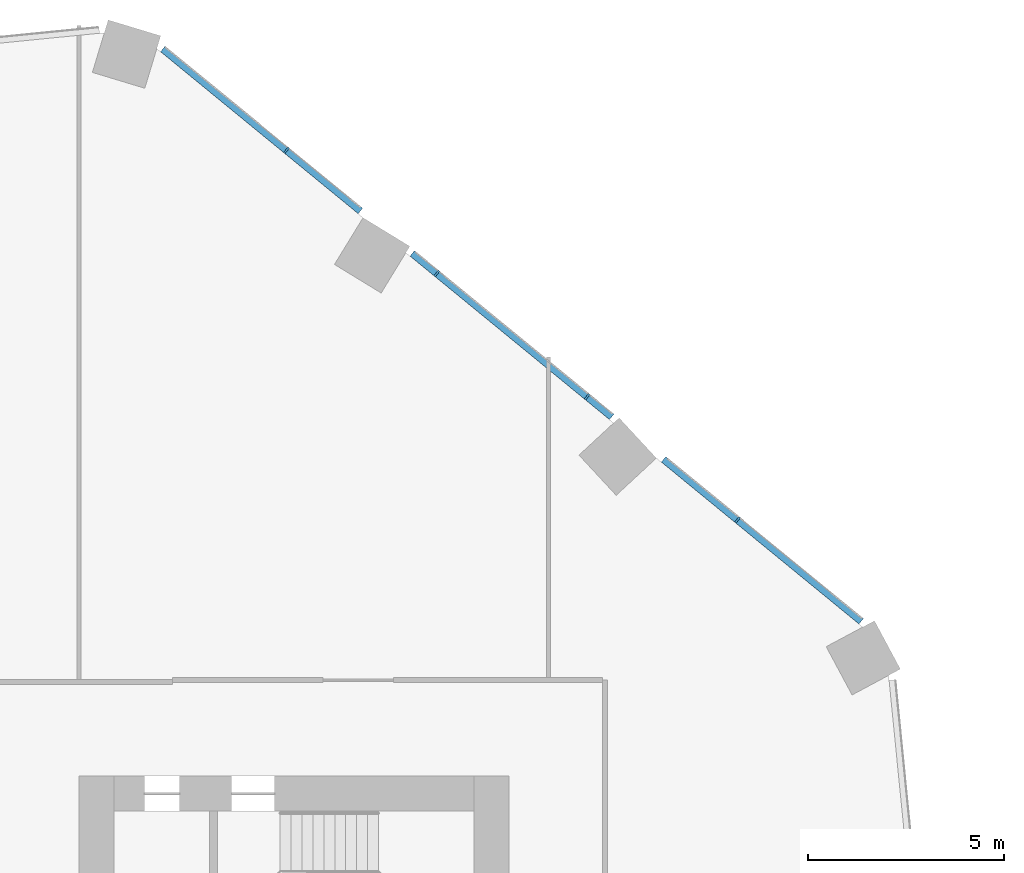
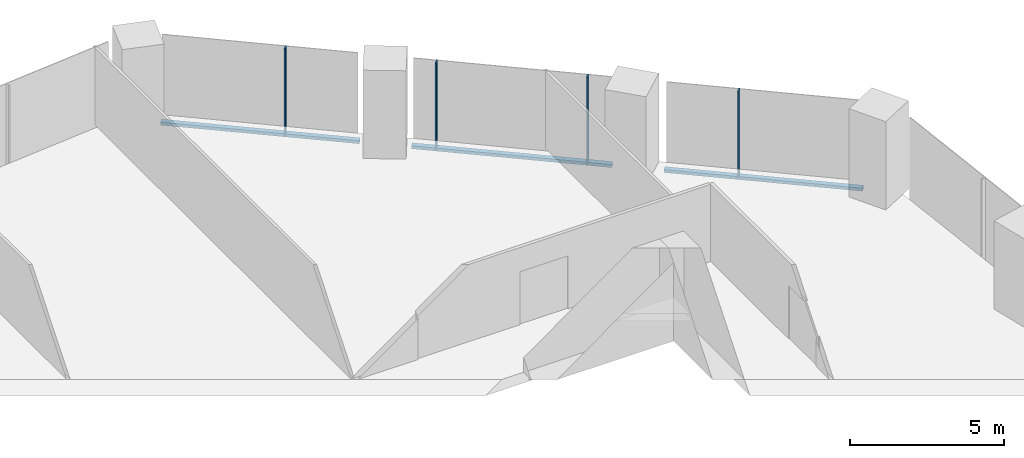
# One storey, part 14 of 34: 7 members, 1 element without a shape of its own.
"""IFC4 building model written with IfcOpenShell, lengths in metres."""

from ifc_helpers import new_model, si_unit, direction, frame, origin, origin_2d, place, context, subcontext, project, spatial, rectangle, extrude, material, material_profile, profile_set, type_object, element, aggregate, save


model = new_model("IFC4")

# Units and contexts
model_context = context("Model", 3, precision=1e-05, world=origin(), true_north=direction((0.0, 1.0)))
body_context = subcontext(model_context, "Body", "Model", "MODEL_VIEW")
ifc_project = project(units=[si_unit("LENGTHUNIT", "METRE"), si_unit("AREAUNIT", "SQUARE_METRE"), si_unit("VOLUMEUNIT", "CUBIC_METRE"), si_unit("PLANEANGLEUNIT", "RADIAN"), si_unit("MASSUNIT", "GRAM", prefix="KILO")], contexts=[model_context])

# Site, building, storey
site_placement = place(None, origin())
site = spatial("IfcSite", under=ifc_project, at=site_placement, CompositionType="ELEMENT")
building_placement = place(site_placement, origin())
building = spatial("IfcBuilding", under=site, at=building_placement, Name="Orlundy Tower", CompositionType="ELEMENT")
storey_placement = place(building_placement, frame((0.0, 0.0, 44.300048828125)))
storey = spatial("IfcBuildingStorey", under=building, at=storey_placement, Name="L09", CompositionType="ELEMENT", Elevation=44.300048828125)

# Curtain wall, members
ifc_material_1 = material(Name="Aluminium bronze anodised", Category="aluminium")
curtain_wall_type = type_object("IfcCurtainWallType", Name="CW1 wall", PredefinedType="NOTDEFINED", material=ifc_material_1)
curtain_wall_placement = place(storey_placement, origin())
curtain_wall = element("IfcCurtainWall", 1, at=curtain_wall_placement, inside=storey, type_object=curtain_wall_type, Name="CW1 run 04", PredefinedType="NOTDEFINED")
ifc_material_2 = material(Name="Aluminium bronze anodised", Category="aluminium")
ifc_material_profile_1 = material_profile(ifc_material_2, rectangle(XDim=0.179931640625, YDim=0.050048828125, at=origin_2d()), Name="CW1 mullion 50x180")
ifc_profile_set_1 = profile_set([ifc_material_profile_1], Name="Aluminium bronze anodised")
member_type_1 = type_object("IfcMemberType", Name="CW1 mullion 50x180", PredefinedType="MULLION", material=ifc_profile_set_1)
member_1_placement = place(storey_placement, frame((13.3046875, 27.999267578125, -0.420166015625), z_axis=(0.0, 0.0, 1.0), x_axis=(0.633818264458, 0.773482002143, 0.0)))
member_1 = element("IfcMember", 2, at=member_1_placement, type_object=member_type_1, Name="CW1 mullion 20", PredefinedType="MULLION", context=body_context, shape_type="SweptSolid", body=[
    extrude(rectangle(XDim=0.179931640625, YDim=0.050048828125, at=origin_2d()), origin(), (0.0, 0.0, 1.0), 3.5),
])
member_2_placement = place(storey_placement, frame((17.149169921875, 24.848876953125, -0.420166015625), z_axis=(0.0, 0.0, 1.0), x_axis=(0.633818264458, 0.773482002143, 0.0)))
member_2 = element("IfcMember", 3, at=member_2_placement, type_object=member_type_1, Name="CW1 mullion 21", PredefinedType="MULLION", context=body_context, shape_type="SweptSolid", body=[
    extrude(rectangle(XDim=0.179931640625, YDim=0.050048828125, at=origin_2d()), origin(), (0.0, 0.0, 1.0), 3.5),
])
member_3_placement = place(storey_placement, frame((20.993896484375, 21.698486328125, -0.420166015625), z_axis=(0.0, 0.0, 1.0), x_axis=(0.633818264458, 0.773482002143, 0.0)))
member_3 = element("IfcMember", 4, at=member_3_placement, type_object=member_type_1, Name="CW1 mullion 22", PredefinedType="MULLION", context=body_context, shape_type="SweptSolid", body=[
    extrude(rectangle(XDim=0.179931640625, YDim=0.050048828125, at=origin_2d()), origin(), (0.0, 0.0, 1.0), 3.5),
])
member_4_placement = place(storey_placement, frame((24.83837890625, 18.548095703125, -0.420166015625), z_axis=(0.0, 0.0, 1.0), x_axis=(0.633818264458, 0.773482002143, 0.0)))
member_4 = element("IfcMember", 5, at=member_4_placement, type_object=member_type_1, Name="CW1 mullion 23", PredefinedType="MULLION", context=body_context, shape_type="SweptSolid", body=[
    extrude(rectangle(XDim=0.179931640625, YDim=0.050048828125, at=origin_2d()), origin(), (0.0, 0.0, 1.0), 3.5),
])
ifc_material_3 = material(Name="Aluminium bronze anodised", Category="aluminium")
ifc_material_profile_2 = material_profile(ifc_material_3, rectangle(XDim=0.179931640625, YDim=0.1201171875, at=origin_2d()), Name="CW1 transom 180x120")
ifc_profile_set_2 = profile_set([ifc_material_profile_2], Name="Aluminium bronze anodised")
member_type_2 = type_object("IfcMemberType", Name="CW1 transom 180x120", PredefinedType="USERDEFINED", material=ifc_profile_set_2)
member_5_placement = place(storey_placement, frame((10.142822265625, 30.590087890625, -0.360107421875), z_axis=(0.773477422369, -0.633823853358, 0.0), x_axis=(0.633823853358, 0.773477422369, 0.0)))
member_5 = element("IfcMember", 6, at=member_5_placement, type_object=member_type_2, Name="CW1 transom", ObjectType="TRANSOM", PredefinedType="USERDEFINED", context=body_context, shape_type="SweptSolid", body=[
    extrude(rectangle(XDim=0.179931640625, YDim=0.1201171875, at=origin_2d()), origin(), (0.0, 0.0, 1.0), 6.53125),
])
member_6_placement = place(storey_placement, frame((16.52197265625, 25.36279296875, -0.360107421875), z_axis=(0.77347364966, -0.633828457298, 0.0), x_axis=(0.633828457298, 0.77347364966, 0.0)))
member_6 = element("IfcMember", 7, at=member_6_placement, type_object=member_type_2, Name="CW1 transom", ObjectType="TRANSOM", PredefinedType="USERDEFINED", context=body_context, shape_type="SweptSolid", body=[
    extrude(rectangle(XDim=0.179931640625, YDim=0.1201171875, at=origin_2d()), origin(), (0.0, 0.0, 1.0), 6.5927734375),
])
member_7_placement = place(storey_placement, frame((22.94873046875, 20.096435546875, -0.360107421875), z_axis=(0.773492438688, -0.633805527975, 0.0), x_axis=(0.633805527975, 0.773492438688, 0.0)))
member_7 = element("IfcMember", 8, at=member_7_placement, type_object=member_type_2, Name="CW1 transom", ObjectType="TRANSOM", PredefinedType="USERDEFINED", context=body_context, shape_type="SweptSolid", body=[
    extrude(rectangle(XDim=0.179931640625, YDim=0.1201171875, at=origin_2d()), origin(), (0.0, 0.0, 1.0), 6.531494140625),
])
aggregate(curtain_wall, [member_1, member_2, member_3, member_4, member_5, member_6, member_7])

save(model, "model.ifc")
